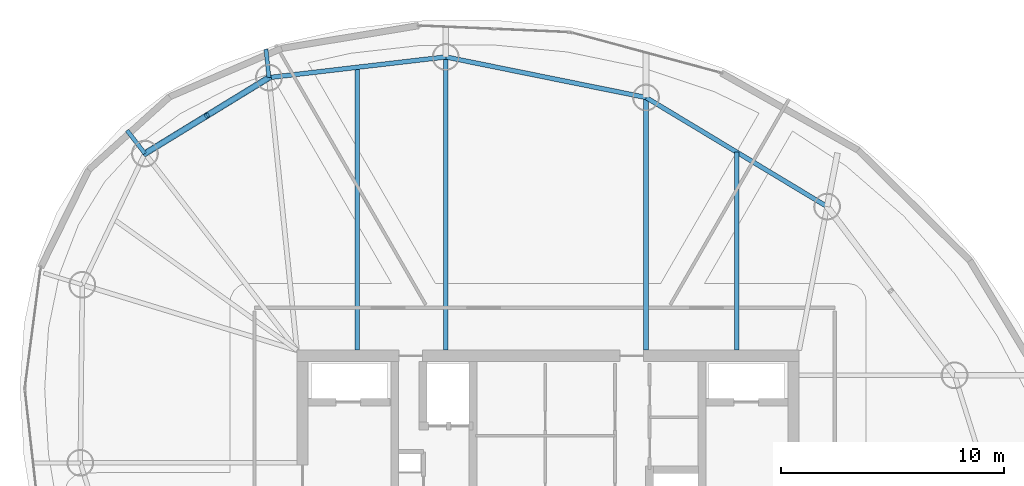
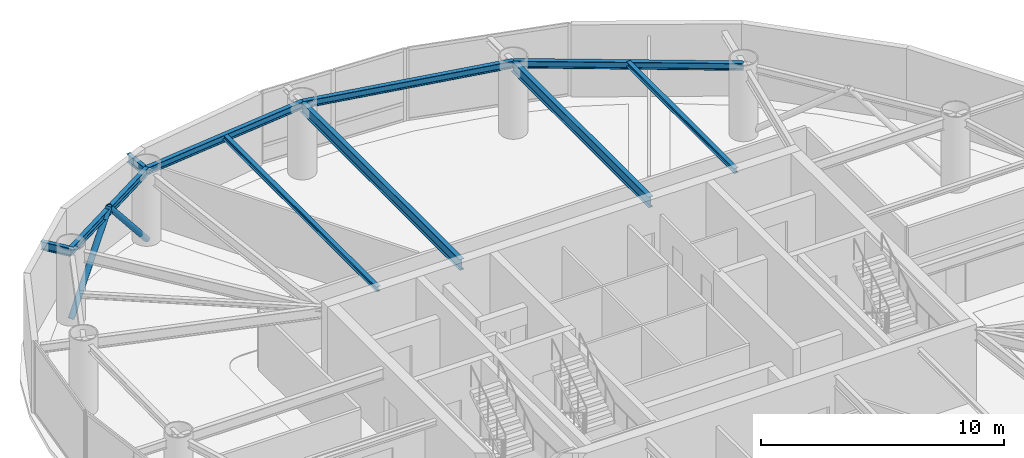
# One storey, part 11 of 20: 10 beams, 2 members.
"""IFC4 building model written with IfcOpenShell, lengths in metres."""

from ifc_helpers import new_model, si_unit, direction, frame, origin, origin_2d, place, context, subcontext, project, spatial, hollow_circle, i_section, extrude, material, material_profile, profile_set, type_object, element, save


model = new_model("IFC4")

# Units and contexts
model_context = context("Model", 3, precision=1e-05, world=origin(), true_north=direction((0.0, 1.0)))
body_context = subcontext(model_context, "Body", "Model", "MODEL_VIEW")
ifc_project = project(units=[si_unit("LENGTHUNIT", "METRE"), si_unit("AREAUNIT", "SQUARE_METRE"), si_unit("VOLUMEUNIT", "CUBIC_METRE"), si_unit("PLANEANGLEUNIT", "RADIAN"), si_unit("MASSUNIT", "GRAM", prefix="KILO")], contexts=[model_context])

# Site, building, storey
site_placement = place(None, origin())
site = spatial("IfcSite", under=ifc_project, at=site_placement, CompositionType="ELEMENT")
building_placement = place(site_placement, origin())
building = spatial("IfcBuilding", under=site, at=building_placement, Name="Bramvorn Convention Spire", CompositionType="ELEMENT")
storey_placement = place(building_placement, frame((0.0, 0.0, 178.89990234375)))
storey = spatial("IfcBuildingStorey", under=building, at=storey_placement, Name="L45", CompositionType="ELEMENT", Elevation=178.89990234375)

# Beams
ifc_material = material(Name="Steel CSA G40.21 Grade 350 (350W)", Category="steel")
ifc_material_profile_1 = material_profile(ifc_material, i_section(OverallWidth=0.201904296875, OverallDepth=0.2470703125, WebThickness=0.00732421875, FlangeThickness=0.010986328125, FilletRadius=0.011962890625, at=origin_2d()))
ifc_profile_set_1 = profile_set([ifc_material_profile_1], Name="Steel CSA G40.21 Grade 350 (350W) - W250X49")
beam_type_1 = type_object("IfcBeamType", Name="BM-W250X49", PredefinedType="JOIST", material=ifc_profile_set_1)
beam_1_placement = place(storey_placement, frame((46.445556640625, 33.449951171875, 3.49658203125), z_axis=(0.0, 1.0, 0.0), x_axis=(-1.0, 0.0, 0.0)))
element("IfcBeam", 1, at=beam_1_placement, inside=storey, type_object=beam_type_1, Name="L45 composite floor joist 05", PredefinedType="JOIST", context=body_context, shape_type="SweptSolid", body=[
    extrude(i_section(OverallWidth=0.201904296875, OverallDepth=0.2470703125, WebThickness=0.00732421875, FlangeThickness=0.010986328125, FilletRadius=0.011962890625, at=origin_2d()), origin(), (0.0, 0.0, 1.0), 8.878662109375),
])
beam_2_placement = place(storey_placement, frame((29.455810546875, 33.449951171875, 3.49658203125), z_axis=(0.0, 1.0, 0.0), x_axis=(-1.0, 0.0, 0.0)))
element("IfcBeam", 2, at=beam_2_placement, inside=storey, type_object=beam_type_1, Name="L45 composite floor joist 07", PredefinedType="JOIST", context=body_context, shape_type="SweptSolid", body=[
    extrude(i_section(OverallWidth=0.201904296875, OverallDepth=0.2470703125, WebThickness=0.00732421875, FlangeThickness=0.010986328125, FilletRadius=0.011962890625, at=origin_2d()), origin(), (0.0, 0.0, 1.0), 12.676025390625),
])
ifc_material_profile_2 = material_profile(ifc_material, i_section(OverallWidth=0.205078125, OverallDepth=0.35400390625, WebThickness=0.009521484375, FlangeThickness=0.016845703125, FilletRadius=0.014892578125, at=origin_2d()))
ifc_profile_set_2 = profile_set([ifc_material_profile_2], Name="Steel CSA G40.21 Grade 350 (350W) - W360X79")
beam_type_2 = type_object("IfcBeamType", Name="BM-W360X79", PredefinedType="JOIST", material=ifc_profile_set_2)
beam_3_placement = place(storey_placement, frame((50.501953125, 39.885009765625, 3.443115234375), z_axis=(-0.856581795745, 0.516011266543, 0.0), x_axis=(-0.516011266543, -0.856581795745, 0.0)))
element("IfcBeam", 3, at=beam_3_placement, inside=storey, type_object=beam_type_2, Name="L45 mega-column ring beam 05", PredefinedType="JOIST", context=body_context, shape_type="SweptSolid", body=[
    extrude(i_section(OverallWidth=0.205078125, OverallDepth=0.35400390625, WebThickness=0.009521484375, FlangeThickness=0.016845703125, FilletRadius=0.014892578125, at=origin_2d()), origin(), (0.0, 0.0, 1.0), 9.47119140625),
])
beam_4_placement = place(storey_placement, frame((42.38916015625, 44.772216796875, 3.443115234375), z_axis=(-0.980124701676, 0.198382381187, 0.0), x_axis=(-0.198382381187, -0.980124701676, 0.0)))
element("IfcBeam", 4, at=beam_4_placement, inside=storey, type_object=beam_type_2, Name="L45 mega-column ring beam 06", PredefinedType="JOIST", context=body_context, shape_type="SweptSolid", body=[
    extrude(i_section(OverallWidth=0.205078125, OverallDepth=0.35400390625, WebThickness=0.009521484375, FlangeThickness=0.016845703125, FilletRadius=0.014892578125, at=origin_2d()), origin(), (0.0, 0.0, 1.0), 9.15478515625),
])
beam_5_placement = place(storey_placement, frame((33.416259765625, 46.58837890625, 3.443115234375), z_axis=(-0.993256148339, -0.115940604561, 0.0), x_axis=(0.115940604561, -0.993256148339, 0.0)))
element("IfcBeam", 5, at=beam_5_placement, inside=storey, type_object=beam_type_2, Name="L45 mega-column ring beam 07", PredefinedType="JOIST", context=body_context, shape_type="SweptSolid", body=[
    extrude(i_section(OverallWidth=0.205078125, OverallDepth=0.35400390625, WebThickness=0.009521484375, FlangeThickness=0.016845703125, FilletRadius=0.014892578125, at=origin_2d()), origin(), (0.0, 0.0, 1.0), 7.974365234375),
])
beam_6_placement = place(storey_placement, frame((25.49560546875, 45.663818359375, 3.443115234375), z_axis=(-0.852616873135, -0.522536570629, 0.0), x_axis=(0.522536570629, -0.852616873135, 0.0)))
element("IfcBeam", 6, at=beam_6_placement, inside=storey, type_object=beam_type_2, Name="L45 mega-column ring beam 08", PredefinedType="JOIST", context=body_context, shape_type="SweptSolid", body=[
    extrude(i_section(OverallWidth=0.205078125, OverallDepth=0.35400390625, WebThickness=0.009521484375, FlangeThickness=0.016845703125, FilletRadius=0.014892578125, at=origin_2d()), origin(), (0.0, 0.0, 1.0), 6.513916015625),
])
ifc_material_profile_3 = material_profile(ifc_material, i_section(OverallWidth=0.180908203125, OverallDepth=0.4169921875, WebThickness=0.010986328125, FlangeThickness=0.018310546875, FilletRadius=0.01611328125, at=origin_2d()))
ifc_profile_set_3 = profile_set([ifc_material_profile_3], Name="Steel CSA G40.21 Grade 350 (350W) - W410X85")
beam_type_3 = type_object("IfcBeamType", Name="BM-W410X85", PredefinedType="JOIST", material=ifc_profile_set_3)
beam_7_placement = place(storey_placement, frame((25.49560546875, 45.663818359375, 3.376708984375), z_axis=(-0.102208223396, 0.99476302659, 0.0), x_axis=(-0.99476302659, -0.102208223396, 0.0)))
element("IfcBeam", 7, at=beam_7_placement, inside=storey, type_object=beam_type_3, Name="L45 Sky-Garden cantilever tip girder MC08", PredefinedType="JOIST", context=body_context, shape_type="SweptSolid", body=[
    extrude(i_section(OverallWidth=0.180908203125, OverallDepth=0.4169921875, WebThickness=0.010986328125, FlangeThickness=0.018310546875, FilletRadius=0.01611328125, at=origin_2d()), origin(), (0.0, 0.0, 1.0), 1.27783203125),
])
beam_8_placement = place(storey_placement, frame((19.941650390625, 42.260009765625, 3.376708984375), z_axis=(-0.611579917169, 0.791182662168, 0.0), x_axis=(-0.791182662168, -0.611579917169, 0.0)))
element("IfcBeam", 8, at=beam_8_placement, inside=storey, type_object=beam_type_3, Name="L45 Sky-Garden cantilever tip girder MC09", PredefinedType="JOIST", context=body_context, shape_type="SweptSolid", body=[
    extrude(i_section(OverallWidth=0.180908203125, OverallDepth=0.4169921875, WebThickness=0.010986328125, FlangeThickness=0.018310546875, FilletRadius=0.01611328125, at=origin_2d()), origin(), (0.0, 0.0, 1.0), 1.311767578125),
])
ifc_material_profile_4 = material_profile(ifc_material, i_section(OverallWidth=0.2119140625, OverallDepth=0.5439453125, WebThickness=0.01318359375, FlangeThickness=0.021240234375, FilletRadius=0.01904296875, at=origin_2d()))
ifc_profile_set_4 = profile_set([ifc_material_profile_4], Name="Steel CSA G40.21 Grade 350 (350W) - W530X123")
beam_type_4 = type_object("IfcBeamType", Name="BM-W530X123", PredefinedType="BEAM", material=ifc_profile_set_4)
beam_9_placement = place(storey_placement, frame((42.38916015625, 33.449951171875, 3.34814453125), z_axis=(0.0, 1.0, 0.0), x_axis=(-1.0, 0.0, 0.0)))
element("IfcBeam", 9, at=beam_9_placement, inside=storey, type_object=beam_type_4, Name="L45 radial floor girder MC06", PredefinedType="BEAM", context=body_context, shape_type="SweptSolid", body=[
    extrude(i_section(OverallWidth=0.2119140625, OverallDepth=0.5439453125, WebThickness=0.01318359375, FlangeThickness=0.021240234375, FilletRadius=0.01904296875, at=origin_2d()), origin(), (0.0, 0.0, 1.0), 11.322265625),
])
beam_10_placement = place(storey_placement, frame((33.416259765625, 33.449951171875, 3.34814453125), z_axis=(0.0, 1.0, 0.0), x_axis=(-1.0, 0.0, 0.0)))
element("IfcBeam", 10, at=beam_10_placement, inside=storey, type_object=beam_type_4, Name="L45 radial floor girder MC07", PredefinedType="BEAM", context=body_context, shape_type="SweptSolid", body=[
    extrude(i_section(OverallWidth=0.2119140625, OverallDepth=0.5439453125, WebThickness=0.01318359375, FlangeThickness=0.021240234375, FilletRadius=0.01904296875, at=origin_2d()), origin(), (0.0, 0.0, 1.0), 13.138427734375),
])

# Members
ifc_material_profile_5 = material_profile(ifc_material, hollow_circle(Radius=0.136474609375, WallThickness=0.0126953125, at=origin_2d()))
ifc_profile_set_5 = profile_set([ifc_material_profile_5], Name="Steel CSA G40.21 Grade 350 (350W) - CHS273X13")
member_type = type_object("IfcMemberType", Name="MBR-CHS273X13", PredefinedType="BRACE", material=ifc_profile_set_5)
for number, where, z_axis, x_axis, name in (
    (11, (25.49560546875, 45.663818359375, 0.0), (-0.570281085842, -0.349488303244, 0.743395862933), (0.522519873149, -0.852627106163, 0.0), "L45 perimeter Gothic lancet brace 8A"),
    (12, (19.941650390625, 42.260009765625, 0.0), (0.570247254591, 0.349498295389, 0.743417117204), (-0.522553268977, 0.852606639126, 0.0), "L45 perimeter Gothic lancet brace 8B"),
):
    element("IfcMember", number, at=place(storey_placement, frame(where, z_axis=z_axis, x_axis=x_axis)), inside=storey, type_object=member_type, Name=name, PredefinedType="BRACE", context=body_context, shape_type="SweptSolid", body=[
        extrude(hollow_circle(Radius=0.136474609375, WallThickness=0.0126953125, at=origin_2d()), origin(), (0.0, 0.0, 1.0), 4.86962890625),
    ])

save(model, "model.ifc")
